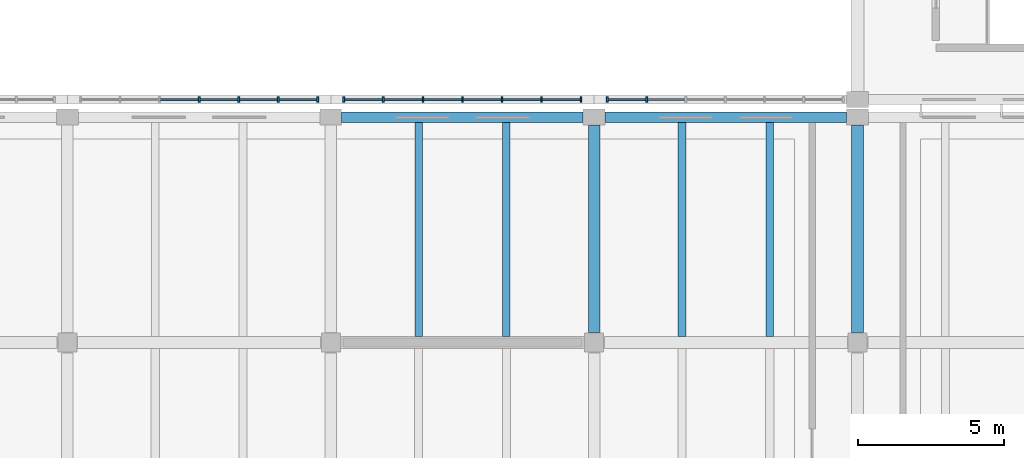
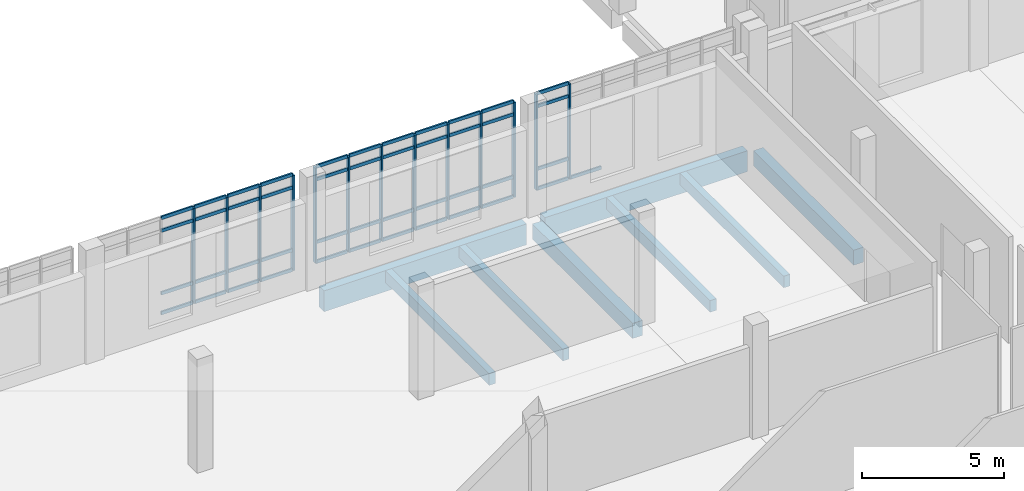
# One storey, part 35 of 110: 58 members, 8 beams, 3 elements without a shape of their own.
"""IFC4 building model written with IfcOpenShell, lengths in metres."""

from ifc_helpers import new_model, si_unit, direction, frame, origin, origin_2d, place, context, subcontext, project, spatial, rectangle, extrude, material, layer, layer_set, material_profile, profile_set, type_object, element, aggregate, save


model = new_model("IFC4")

# Units and contexts
model_context = context("Model", 3, precision=1e-05, world=origin(), true_north=direction((0.0, 1.0)))
body_context = subcontext(model_context, "Body", "Model", "MODEL_VIEW")
ifc_project = project(units=[si_unit("LENGTHUNIT", "METRE"), si_unit("AREAUNIT", "SQUARE_METRE"), si_unit("VOLUMEUNIT", "CUBIC_METRE"), si_unit("PLANEANGLEUNIT", "RADIAN"), si_unit("MASSUNIT", "GRAM", prefix="KILO")], contexts=[model_context])

# Site, building, storey
site_placement = place(None, origin())
site = spatial("IfcSite", under=ifc_project, at=site_placement, CompositionType="ELEMENT")
building_placement = place(site_placement, origin())
building = spatial("IfcBuilding", under=site, at=building_placement, Name="Zacnel Wholesale Market", CompositionType="ELEMENT")
storey_placement = place(building_placement, frame((0.0, 0.0, 6.300048828125)))
storey = spatial("IfcBuildingStorey", under=building, at=storey_placement, Name="L02", CompositionType="ELEMENT", Elevation=6.300048828125)

# Beams
ifc_material_1 = material(Name="Precast concrete C45/55", Category="concrete")
ifc_material_profile_1 = material_profile(ifc_material_1, rectangle(XDim=0.39990234375, YDim=0.64990234375, at=origin_2d()), Name="PG 400x650")
ifc_profile_set_1 = profile_set([ifc_material_profile_1], Name="Precast concrete C45/55")
beam_type_1 = type_object("IfcBeamType", Name="BM-PG650", PredefinedType="BEAM", material=ifc_profile_set_1)
for number, where, z_axis, x_axis, name in (
    (1, (171.0, 40.35009765625, -0.625), (0.0, 1.0, 0.0), (-1.0, 0.0, 0.0), "Precast girder Y-0500"),
    (2, (180.0, 40.35009765625, -0.625), (0.0, 1.0, 0.0), (-1.0, 0.0, 0.0), "Precast girder Y-0506"),
):
    element("IfcBeam", number, at=place(storey_placement, frame(where, z_axis=z_axis, x_axis=x_axis)), inside=storey, type_object=beam_type_1, Name=name, PredefinedType="BEAM", context=body_context, shape_type="SweptSolid", body=[
        extrude(rectangle(XDim=0.39990234375, YDim=0.64990234375, at=origin_2d()), origin(), (0.0, 0.0, 1.0), 7.074951171875),
    ])
ifc_material_2 = material(Name="Precast concrete C45/55", Category="concrete")
ifc_material_profile_2 = material_profile(ifc_material_2, rectangle(XDim=0.260009765625, YDim=0.5, at=origin_2d()), Name="PJ 260x500")
ifc_profile_set_2 = profile_set([ifc_material_profile_2], Name="Precast concrete C45/55")
beam_type_2 = type_object("IfcBeamType", Name="BM-PJ500", PredefinedType="HOLLOWCORE", material=ifc_profile_set_2)
for number, where, z_axis, x_axis, name in (
    (3, (165.0, 40.199951171875, -0.550048828125), (0.0, 1.0, 0.0), (-1.0, 0.0, 0.0), "Precast secondary joist L02-0173"),
    (4, (168.0, 40.199951171875, -0.550048828125), (0.0, 1.0, 0.0), (-1.0, 0.0, 0.0), "Precast secondary joist L02-0174"),
    (5, (174.0, 40.199951171875, -0.550048828125), (0.0, 1.0, 0.0), (-1.0, 0.0, 0.0), "Precast secondary joist L02-0175"),
    (6, (177.0, 40.199951171875, -0.550048828125), (0.0, 1.0, 0.0), (-1.0, 0.0, 0.0), "Precast secondary joist L02-0176"),
):
    element("IfcBeam", number, at=place(storey_placement, frame(where, z_axis=z_axis, x_axis=x_axis)), inside=storey, type_object=beam_type_2, Name=name, PredefinedType="HOLLOWCORE", context=body_context, shape_type="SweptSolid", body=[
        extrude(rectangle(XDim=0.260009765625, YDim=0.5, at=origin_2d()), origin(), (0.0, 0.0, 1.0), 7.324951171875),
    ])
ifc_material_3 = material(Name="Precast concrete C45/55", Category="concrete")
ifc_material_profile_3 = material_profile(ifc_material_3, rectangle(XDim=0.35009765625, YDim=0.89990234375, at=origin_2d()), Name="SP 350x900")
ifc_profile_set_3 = profile_set([ifc_material_profile_3], Name="Precast concrete C45/55")
beam_type_3 = type_object("IfcBeamType", Name="BM-SP900", PredefinedType="SPANDREL", material=ifc_profile_set_3)
for number, where, z_axis, x_axis, name in (
    (7, (162.375, 47.699951171875, -0.75), (1.0, 0.0, 0.0), (0.0, 1.0, 0.0), "Precast girder X-0131"),
    (8, (171.375, 47.699951171875, -0.75), (1.0, 0.0, 0.0), (0.0, 1.0, 0.0), "Precast girder X-0132"),
):
    element("IfcBeam", number, at=place(storey_placement, frame(where, z_axis=z_axis, x_axis=x_axis)), inside=storey, type_object=beam_type_3, Name=name, PredefinedType="SPANDREL", context=body_context, shape_type="SweptSolid", body=[
        extrude(rectangle(XDim=0.35009765625, YDim=0.89990234375, at=origin_2d()), origin(), (0.0, 0.0, 1.0), 8.25),
    ])

# Curtain wall, members
ifc_material_4 = material(Name="Anodised aluminium", Category="aluminium")
ifc_layer = layer(ifc_material_4, 0.159912109375)
ifc_layer_set = layer_set([ifc_layer], Name="Anodised aluminium")
curtain_wall_type = type_object("IfcCurtainWallType", Name="CW-NAVE-4200", PredefinedType="NOTDEFINED", material=ifc_layer_set)
curtain_wall_1_placement = place(storey_placement, origin())
curtain_wall_1 = element("IfcCurtainWall", 9, at=curtain_wall_1_placement, inside=storey, type_object=curtain_wall_type, Name="Curtain wall ENV-R2-CW-L02-038", PredefinedType="NOTDEFINED")
ifc_material_5 = material(Name="Anodised aluminium", Category="aluminium")
ifc_material_profile_4 = material_profile(ifc_material_5, rectangle(XDim=0.06494140625, YDim=0.179931640625, at=origin_2d()), Name="AW-MULLION 65x180")
ifc_profile_set_4 = profile_set([ifc_material_profile_4], Name="Anodised aluminium")
member_type_1 = type_object("IfcMemberType", Name="CWM-MUL-03", PredefinedType="MULLION", material=ifc_profile_set_4)
member_1_placement = place(storey_placement, frame((157.5, 48.300048828125, 0.449951171875), z_axis=(0.0, 0.0, 1.0), x_axis=(1.0, 0.0, 0.0)))
member_1 = element("IfcMember", 10, at=member_1_placement, type_object=member_type_1, Name="ENV-R2-CW-L02-038 mullion 04", PredefinedType="MULLION", context=body_context, shape_type="SweptSolid", body=[
    extrude(rectangle(XDim=0.06494140625, YDim=0.179931640625, at=origin_2d()), origin(), (0.0, 0.0, 1.0), 4.10009765625),
])
member_2_placement = place(storey_placement, frame((158.85009765625, 48.300048828125, 0.449951171875), z_axis=(0.0, 0.0, 1.0), x_axis=(1.0, 0.0, 0.0)))
member_2 = element("IfcMember", 11, at=member_2_placement, type_object=member_type_1, Name="ENV-R2-CW-L02-038 mullion 05", PredefinedType="MULLION", context=body_context, shape_type="SweptSolid", body=[
    extrude(rectangle(XDim=0.06494140625, YDim=0.179931640625, at=origin_2d()), origin(), (0.0, 0.0, 1.0), 4.10009765625),
])
member_3_placement = place(storey_placement, frame((160.199951171875, 48.300048828125, 0.449951171875), z_axis=(0.0, 0.0, 1.0), x_axis=(1.0, 0.0, 0.0)))
member_3 = element("IfcMember", 12, at=member_3_placement, type_object=member_type_1, Name="ENV-R2-CW-L02-038 mullion 06", PredefinedType="MULLION", context=body_context, shape_type="SweptSolid", body=[
    extrude(rectangle(XDim=0.06494140625, YDim=0.179931640625, at=origin_2d()), origin(), (0.0, 0.0, 1.0), 4.10009765625),
])
member_4_placement = place(storey_placement, frame((161.550048828125, 48.300048828125, 0.449951171875), z_axis=(0.0, 0.0, 1.0), x_axis=(1.0, 0.0, 0.0)))
member_4 = element("IfcMember", 13, at=member_4_placement, type_object=member_type_1, Name="ENV-R2-CW-L02-038 mullion 07", PredefinedType="MULLION", context=body_context, shape_type="SweptSolid", body=[
    extrude(rectangle(XDim=0.06494140625, YDim=0.179931640625, at=origin_2d()), origin(), (0.0, 0.0, 1.0), 4.10009765625),
])

curtain_wall_2_placement = place(storey_placement, origin())
curtain_wall_2 = element("IfcCurtainWall", 14, at=curtain_wall_2_placement, inside=storey, type_object=curtain_wall_type, Name="Curtain wall ENV-R2-CW-L02-039", PredefinedType="NOTDEFINED")
member_5_placement = place(storey_placement, frame((162.449951171875, 48.300048828125, 0.449951171875), z_axis=(0.0, 0.0, 1.0), x_axis=(1.0, 0.0, 0.0)))
member_5 = element("IfcMember", 15, at=member_5_placement, type_object=member_type_1, Name="ENV-R2-CW-L02-039 mullion 01", PredefinedType="MULLION", context=body_context, shape_type="SweptSolid", body=[
    extrude(rectangle(XDim=0.06494140625, YDim=0.179931640625, at=origin_2d()), origin(), (0.0, 0.0, 1.0), 4.10009765625),
])
member_6_placement = place(storey_placement, frame((163.800048828125, 48.300048828125, 0.449951171875), z_axis=(0.0, 0.0, 1.0), x_axis=(1.0, 0.0, 0.0)))
member_6 = element("IfcMember", 16, at=member_6_placement, type_object=member_type_1, Name="ENV-R2-CW-L02-039 mullion 02", PredefinedType="MULLION", context=body_context, shape_type="SweptSolid", body=[
    extrude(rectangle(XDim=0.06494140625, YDim=0.179931640625, at=origin_2d()), origin(), (0.0, 0.0, 1.0), 4.10009765625),
])
member_7_placement = place(storey_placement, frame((165.14990234375, 48.300048828125, 0.449951171875), z_axis=(0.0, 0.0, 1.0), x_axis=(1.0, 0.0, 0.0)))
member_7 = element("IfcMember", 17, at=member_7_placement, type_object=member_type_1, Name="ENV-R2-CW-L02-039 mullion 03", PredefinedType="MULLION", context=body_context, shape_type="SweptSolid", body=[
    extrude(rectangle(XDim=0.06494140625, YDim=0.179931640625, at=origin_2d()), origin(), (0.0, 0.0, 1.0), 4.10009765625),
])
member_8_placement = place(storey_placement, frame((166.5, 48.300048828125, 0.449951171875), z_axis=(0.0, 0.0, 1.0), x_axis=(1.0, 0.0, 0.0)))
member_8 = element("IfcMember", 18, at=member_8_placement, type_object=member_type_1, Name="ENV-R2-CW-L02-039 mullion 04", PredefinedType="MULLION", context=body_context, shape_type="SweptSolid", body=[
    extrude(rectangle(XDim=0.06494140625, YDim=0.179931640625, at=origin_2d()), origin(), (0.0, 0.0, 1.0), 4.10009765625),
])
member_9_placement = place(storey_placement, frame((167.85009765625, 48.300048828125, 0.449951171875), z_axis=(0.0, 0.0, 1.0), x_axis=(1.0, 0.0, 0.0)))
member_9 = element("IfcMember", 19, at=member_9_placement, type_object=member_type_1, Name="ENV-R2-CW-L02-039 mullion 05", PredefinedType="MULLION", context=body_context, shape_type="SweptSolid", body=[
    extrude(rectangle(XDim=0.06494140625, YDim=0.179931640625, at=origin_2d()), origin(), (0.0, 0.0, 1.0), 4.10009765625),
])
member_10_placement = place(storey_placement, frame((169.199951171875, 48.300048828125, 0.449951171875), z_axis=(0.0, 0.0, 1.0), x_axis=(1.0, 0.0, 0.0)))
member_10 = element("IfcMember", 20, at=member_10_placement, type_object=member_type_1, Name="ENV-R2-CW-L02-039 mullion 06", PredefinedType="MULLION", context=body_context, shape_type="SweptSolid", body=[
    extrude(rectangle(XDim=0.06494140625, YDim=0.179931640625, at=origin_2d()), origin(), (0.0, 0.0, 1.0), 4.10009765625),
])
member_11_placement = place(storey_placement, frame((170.550048828125, 48.300048828125, 0.449951171875), z_axis=(0.0, 0.0, 1.0), x_axis=(1.0, 0.0, 0.0)))
member_11 = element("IfcMember", 21, at=member_11_placement, type_object=member_type_1, Name="ENV-R2-CW-L02-039 mullion 07", PredefinedType="MULLION", context=body_context, shape_type="SweptSolid", body=[
    extrude(rectangle(XDim=0.06494140625, YDim=0.179931640625, at=origin_2d()), origin(), (0.0, 0.0, 1.0), 4.10009765625),
])

curtain_wall_3_placement = place(storey_placement, origin())
curtain_wall_3 = element("IfcCurtainWall", 22, at=curtain_wall_3_placement, inside=storey, type_object=curtain_wall_type, Name="Curtain wall ENV-R2-CW-L02-040", PredefinedType="NOTDEFINED")
member_12_placement = place(storey_placement, frame((171.449951171875, 48.300048828125, 0.449951171875), z_axis=(0.0, 0.0, 1.0), x_axis=(1.0, 0.0, 0.0)))
member_12 = element("IfcMember", 23, at=member_12_placement, type_object=member_type_1, Name="ENV-R2-CW-L02-040 mullion 01", PredefinedType="MULLION", context=body_context, shape_type="SweptSolid", body=[
    extrude(rectangle(XDim=0.06494140625, YDim=0.179931640625, at=origin_2d()), origin(), (0.0, 0.0, 1.0), 4.10009765625),
])
member_13_placement = place(storey_placement, frame((172.79248046875, 48.300048828125, 0.449951171875), z_axis=(0.0, 0.0, 1.0), x_axis=(1.0, 0.0, 0.0)))
member_13 = element("IfcMember", 24, at=member_13_placement, type_object=member_type_1, Name="ENV-R2-CW-L02-040 mullion 02", PredefinedType="MULLION", context=body_context, shape_type="SweptSolid", body=[
    extrude(rectangle(XDim=0.06494140625, YDim=0.179931640625, at=origin_2d()), origin(), (0.0, 0.0, 1.0), 4.10009765625),
])

# Member
ifc_material_6 = material(Name="Anodised aluminium", Category="aluminium")
ifc_material_profile_5 = material_profile(ifc_material_6, rectangle(XDim=0.06494140625, YDim=0.139892578125, at=origin_2d()), Name="AW-TRANSOM 65x140")
ifc_profile_set_5 = profile_set([ifc_material_profile_5], Name="Anodised aluminium")
member_type_2 = type_object("IfcMemberType", Name="CWM-TRN-03", PredefinedType="USERDEFINED", material=ifc_profile_set_5)
member_14_placement = place(storey_placement, frame((156.18505859375, 48.300048828125, 0.449951171875), z_axis=(1.0, 0.0, 0.0), x_axis=(0.0, 1.0, 0.0)))
member_14 = element("IfcMember", 25, at=member_14_placement, type_object=member_type_2, Name="ENV-R2-CW-L02-038 transom 3-1", ObjectType="TRANSOM", PredefinedType="USERDEFINED", context=body_context, shape_type="SweptSolid", body=[
    extrude(rectangle(XDim=0.06494140625, YDim=0.139892578125, at=origin_2d()), origin(), (0.0, 0.0, 1.0), 1.280029296875),
])

member_15_placement = place(storey_placement, frame((156.18505859375, 48.300048828125, 1.300048828125), z_axis=(1.0, 0.0, 0.0), x_axis=(0.0, 1.0, 0.0)))
member_15 = element("IfcMember", 26, at=member_15_placement, type_object=member_type_2, Name="ENV-R2-CW-L02-038 transom 3-2", ObjectType="TRANSOM", PredefinedType="USERDEFINED", context=body_context, shape_type="SweptSolid", body=[
    extrude(rectangle(XDim=0.06494140625, YDim=0.139892578125, at=origin_2d()), origin(), (0.0, 0.0, 1.0), 1.280029296875),
])

member_16_placement = place(storey_placement, frame((156.18505859375, 48.300048828125, 4.0), z_axis=(1.0, 0.0, 0.0), x_axis=(0.0, 1.0, 0.0)))
member_16 = element("IfcMember", 27, at=member_16_placement, type_object=member_type_2, Name="ENV-R2-CW-L02-038 transom 3-3", ObjectType="TRANSOM", PredefinedType="USERDEFINED", context=body_context, shape_type="SweptSolid", body=[
    extrude(rectangle(XDim=0.06494140625, YDim=0.139892578125, at=origin_2d()), origin(), (0.0, 0.0, 1.0), 1.280029296875),
])

member_17_placement = place(storey_placement, frame((156.18505859375, 48.300048828125, 4.550048828125), z_axis=(1.0, 0.0, 0.0), x_axis=(0.0, 1.0, 0.0)))
member_17 = element("IfcMember", 28, at=member_17_placement, type_object=member_type_2, Name="ENV-R2-CW-L02-038 transom 3-4", ObjectType="TRANSOM", PredefinedType="USERDEFINED", context=body_context, shape_type="SweptSolid", body=[
    extrude(rectangle(XDim=0.06494140625, YDim=0.139892578125, at=origin_2d()), origin(), (0.0, 0.0, 1.0), 1.280029296875),
])

member_18_placement = place(storey_placement, frame((157.534912109375, 48.300048828125, 0.449951171875), z_axis=(1.0, 0.0, 0.0), x_axis=(0.0, 1.0, 0.0)))
member_18 = element("IfcMember", 29, at=member_18_placement, type_object=member_type_2, Name="ENV-R2-CW-L02-038 transom 4-1", ObjectType="TRANSOM", PredefinedType="USERDEFINED", context=body_context, shape_type="SweptSolid", body=[
    extrude(rectangle(XDim=0.06494140625, YDim=0.139892578125, at=origin_2d()), origin(), (0.0, 0.0, 1.0), 1.280029296875),
])

member_19_placement = place(storey_placement, frame((157.534912109375, 48.300048828125, 1.300048828125), z_axis=(1.0, 0.0, 0.0), x_axis=(0.0, 1.0, 0.0)))
member_19 = element("IfcMember", 30, at=member_19_placement, type_object=member_type_2, Name="ENV-R2-CW-L02-038 transom 4-2", ObjectType="TRANSOM", PredefinedType="USERDEFINED", context=body_context, shape_type="SweptSolid", body=[
    extrude(rectangle(XDim=0.06494140625, YDim=0.139892578125, at=origin_2d()), origin(), (0.0, 0.0, 1.0), 1.280029296875),
])

member_20_placement = place(storey_placement, frame((157.534912109375, 48.300048828125, 4.0), z_axis=(1.0, 0.0, 0.0), x_axis=(0.0, 1.0, 0.0)))
member_20 = element("IfcMember", 31, at=member_20_placement, type_object=member_type_2, Name="ENV-R2-CW-L02-038 transom 4-3", ObjectType="TRANSOM", PredefinedType="USERDEFINED", context=body_context, shape_type="SweptSolid", body=[
    extrude(rectangle(XDim=0.06494140625, YDim=0.139892578125, at=origin_2d()), origin(), (0.0, 0.0, 1.0), 1.280029296875),
])

member_21_placement = place(storey_placement, frame((157.534912109375, 48.300048828125, 4.550048828125), z_axis=(1.0, 0.0, 0.0), x_axis=(0.0, 1.0, 0.0)))
member_21 = element("IfcMember", 32, at=member_21_placement, type_object=member_type_2, Name="ENV-R2-CW-L02-038 transom 4-4", ObjectType="TRANSOM", PredefinedType="USERDEFINED", context=body_context, shape_type="SweptSolid", body=[
    extrude(rectangle(XDim=0.06494140625, YDim=0.139892578125, at=origin_2d()), origin(), (0.0, 0.0, 1.0), 1.280029296875),
])

member_22_placement = place(storey_placement, frame((158.885009765625, 48.300048828125, 0.449951171875), z_axis=(1.0, 0.0, 0.0), x_axis=(0.0, 1.0, 0.0)))
member_22 = element("IfcMember", 33, at=member_22_placement, type_object=member_type_2, Name="ENV-R2-CW-L02-038 transom 5-1", ObjectType="TRANSOM", PredefinedType="USERDEFINED", context=body_context, shape_type="SweptSolid", body=[
    extrude(rectangle(XDim=0.06494140625, YDim=0.139892578125, at=origin_2d()), origin(), (0.0, 0.0, 1.0), 1.280029296875),
])

member_23_placement = place(storey_placement, frame((158.885009765625, 48.300048828125, 1.300048828125), z_axis=(1.0, 0.0, 0.0), x_axis=(0.0, 1.0, 0.0)))
member_23 = element("IfcMember", 34, at=member_23_placement, type_object=member_type_2, Name="ENV-R2-CW-L02-038 transom 5-2", ObjectType="TRANSOM", PredefinedType="USERDEFINED", context=body_context, shape_type="SweptSolid", body=[
    extrude(rectangle(XDim=0.06494140625, YDim=0.139892578125, at=origin_2d()), origin(), (0.0, 0.0, 1.0), 1.280029296875),
])

member_24_placement = place(storey_placement, frame((158.885009765625, 48.300048828125, 4.0), z_axis=(1.0, 0.0, 0.0), x_axis=(0.0, 1.0, 0.0)))
member_24 = element("IfcMember", 35, at=member_24_placement, type_object=member_type_2, Name="ENV-R2-CW-L02-038 transom 5-3", ObjectType="TRANSOM", PredefinedType="USERDEFINED", context=body_context, shape_type="SweptSolid", body=[
    extrude(rectangle(XDim=0.06494140625, YDim=0.139892578125, at=origin_2d()), origin(), (0.0, 0.0, 1.0), 1.280029296875),
])

member_25_placement = place(storey_placement, frame((158.885009765625, 48.300048828125, 4.550048828125), z_axis=(1.0, 0.0, 0.0), x_axis=(0.0, 1.0, 0.0)))
member_25 = element("IfcMember", 36, at=member_25_placement, type_object=member_type_2, Name="ENV-R2-CW-L02-038 transom 5-4", ObjectType="TRANSOM", PredefinedType="USERDEFINED", context=body_context, shape_type="SweptSolid", body=[
    extrude(rectangle(XDim=0.06494140625, YDim=0.139892578125, at=origin_2d()), origin(), (0.0, 0.0, 1.0), 1.280029296875),
])

member_26_placement = place(storey_placement, frame((160.235107421875, 48.300048828125, 0.449951171875), z_axis=(1.0, 0.0, 0.0), x_axis=(0.0, 1.0, 0.0)))
member_26 = element("IfcMember", 37, at=member_26_placement, type_object=member_type_2, Name="ENV-R2-CW-L02-038 transom 6-1", ObjectType="TRANSOM", PredefinedType="USERDEFINED", context=body_context, shape_type="SweptSolid", body=[
    extrude(rectangle(XDim=0.06494140625, YDim=0.139892578125, at=origin_2d()), origin(), (0.0, 0.0, 1.0), 1.27978515625),
])

member_27_placement = place(storey_placement, frame((160.235107421875, 48.300048828125, 1.300048828125), z_axis=(1.0, 0.0, 0.0), x_axis=(0.0, 1.0, 0.0)))
member_27 = element("IfcMember", 38, at=member_27_placement, type_object=member_type_2, Name="ENV-R2-CW-L02-038 transom 6-2", ObjectType="TRANSOM", PredefinedType="USERDEFINED", context=body_context, shape_type="SweptSolid", body=[
    extrude(rectangle(XDim=0.06494140625, YDim=0.139892578125, at=origin_2d()), origin(), (0.0, 0.0, 1.0), 1.27978515625),
])

member_28_placement = place(storey_placement, frame((160.235107421875, 48.300048828125, 4.0), z_axis=(1.0, 0.0, 0.0), x_axis=(0.0, 1.0, 0.0)))
member_28 = element("IfcMember", 39, at=member_28_placement, type_object=member_type_2, Name="ENV-R2-CW-L02-038 transom 6-3", ObjectType="TRANSOM", PredefinedType="USERDEFINED", context=body_context, shape_type="SweptSolid", body=[
    extrude(rectangle(XDim=0.06494140625, YDim=0.139892578125, at=origin_2d()), origin(), (0.0, 0.0, 1.0), 1.27978515625),
])

member_29_placement = place(storey_placement, frame((160.235107421875, 48.300048828125, 4.550048828125), z_axis=(1.0, 0.0, 0.0), x_axis=(0.0, 1.0, 0.0)))
member_29 = element("IfcMember", 40, at=member_29_placement, type_object=member_type_2, Name="ENV-R2-CW-L02-038 transom 6-4", ObjectType="TRANSOM", PredefinedType="USERDEFINED", context=body_context, shape_type="SweptSolid", body=[
    extrude(rectangle(XDim=0.06494140625, YDim=0.139892578125, at=origin_2d()), origin(), (0.0, 0.0, 1.0), 1.27978515625),
])

aggregate(curtain_wall_1, [member_1, member_2, member_3, member_4, member_14, member_15, member_16, member_17, member_18, member_19, member_20, member_21, member_22, member_23, member_24, member_25, member_26, member_27, member_28, member_29])

member_30_placement = place(storey_placement, frame((162.485107421875, 48.300048828125, 0.449951171875), z_axis=(1.0, 0.0, 0.0), x_axis=(0.0, 1.0, 0.0)))
member_30 = element("IfcMember", 41, at=member_30_placement, type_object=member_type_2, Name="ENV-R2-CW-L02-039 transom 1-1", ObjectType="TRANSOM", PredefinedType="USERDEFINED", context=body_context, shape_type="SweptSolid", body=[
    extrude(rectangle(XDim=0.06494140625, YDim=0.139892578125, at=origin_2d()), origin(), (0.0, 0.0, 1.0), 1.27978515625),
])

member_31_placement = place(storey_placement, frame((162.485107421875, 48.300048828125, 1.300048828125), z_axis=(1.0, 0.0, 0.0), x_axis=(0.0, 1.0, 0.0)))
member_31 = element("IfcMember", 42, at=member_31_placement, type_object=member_type_2, Name="ENV-R2-CW-L02-039 transom 1-2", ObjectType="TRANSOM", PredefinedType="USERDEFINED", context=body_context, shape_type="SweptSolid", body=[
    extrude(rectangle(XDim=0.06494140625, YDim=0.139892578125, at=origin_2d()), origin(), (0.0, 0.0, 1.0), 1.27978515625),
])

member_32_placement = place(storey_placement, frame((162.485107421875, 48.300048828125, 4.0), z_axis=(1.0, 0.0, 0.0), x_axis=(0.0, 1.0, 0.0)))
member_32 = element("IfcMember", 43, at=member_32_placement, type_object=member_type_2, Name="ENV-R2-CW-L02-039 transom 1-3", ObjectType="TRANSOM", PredefinedType="USERDEFINED", context=body_context, shape_type="SweptSolid", body=[
    extrude(rectangle(XDim=0.06494140625, YDim=0.139892578125, at=origin_2d()), origin(), (0.0, 0.0, 1.0), 1.27978515625),
])

member_33_placement = place(storey_placement, frame((162.485107421875, 48.300048828125, 4.550048828125), z_axis=(1.0, 0.0, 0.0), x_axis=(0.0, 1.0, 0.0)))
member_33 = element("IfcMember", 44, at=member_33_placement, type_object=member_type_2, Name="ENV-R2-CW-L02-039 transom 1-4", ObjectType="TRANSOM", PredefinedType="USERDEFINED", context=body_context, shape_type="SweptSolid", body=[
    extrude(rectangle(XDim=0.06494140625, YDim=0.139892578125, at=origin_2d()), origin(), (0.0, 0.0, 1.0), 1.27978515625),
])

member_34_placement = place(storey_placement, frame((163.8349609375, 48.300048828125, 0.449951171875), z_axis=(1.0, 0.0, 0.0), x_axis=(0.0, 1.0, 0.0)))
member_34 = element("IfcMember", 45, at=member_34_placement, type_object=member_type_2, Name="ENV-R2-CW-L02-039 transom 2-1", ObjectType="TRANSOM", PredefinedType="USERDEFINED", context=body_context, shape_type="SweptSolid", body=[
    extrude(rectangle(XDim=0.06494140625, YDim=0.139892578125, at=origin_2d()), origin(), (0.0, 0.0, 1.0), 1.280029296875),
])

member_35_placement = place(storey_placement, frame((163.8349609375, 48.300048828125, 1.300048828125), z_axis=(1.0, 0.0, 0.0), x_axis=(0.0, 1.0, 0.0)))
member_35 = element("IfcMember", 46, at=member_35_placement, type_object=member_type_2, Name="ENV-R2-CW-L02-039 transom 2-2", ObjectType="TRANSOM", PredefinedType="USERDEFINED", context=body_context, shape_type="SweptSolid", body=[
    extrude(rectangle(XDim=0.06494140625, YDim=0.139892578125, at=origin_2d()), origin(), (0.0, 0.0, 1.0), 1.280029296875),
])

member_36_placement = place(storey_placement, frame((163.8349609375, 48.300048828125, 4.0), z_axis=(1.0, 0.0, 0.0), x_axis=(0.0, 1.0, 0.0)))
member_36 = element("IfcMember", 47, at=member_36_placement, type_object=member_type_2, Name="ENV-R2-CW-L02-039 transom 2-3", ObjectType="TRANSOM", PredefinedType="USERDEFINED", context=body_context, shape_type="SweptSolid", body=[
    extrude(rectangle(XDim=0.06494140625, YDim=0.139892578125, at=origin_2d()), origin(), (0.0, 0.0, 1.0), 1.280029296875),
])

member_37_placement = place(storey_placement, frame((163.8349609375, 48.300048828125, 4.550048828125), z_axis=(1.0, 0.0, 0.0), x_axis=(0.0, 1.0, 0.0)))
member_37 = element("IfcMember", 48, at=member_37_placement, type_object=member_type_2, Name="ENV-R2-CW-L02-039 transom 2-4", ObjectType="TRANSOM", PredefinedType="USERDEFINED", context=body_context, shape_type="SweptSolid", body=[
    extrude(rectangle(XDim=0.06494140625, YDim=0.139892578125, at=origin_2d()), origin(), (0.0, 0.0, 1.0), 1.280029296875),
])

member_38_placement = place(storey_placement, frame((165.18505859375, 48.300048828125, 0.449951171875), z_axis=(1.0, 0.0, 0.0), x_axis=(0.0, 1.0, 0.0)))
member_38 = element("IfcMember", 49, at=member_38_placement, type_object=member_type_2, Name="ENV-R2-CW-L02-039 transom 3-1", ObjectType="TRANSOM", PredefinedType="USERDEFINED", context=body_context, shape_type="SweptSolid", body=[
    extrude(rectangle(XDim=0.06494140625, YDim=0.139892578125, at=origin_2d()), origin(), (0.0, 0.0, 1.0), 1.280029296875),
])

member_39_placement = place(storey_placement, frame((165.18505859375, 48.300048828125, 1.300048828125), z_axis=(1.0, 0.0, 0.0), x_axis=(0.0, 1.0, 0.0)))
member_39 = element("IfcMember", 50, at=member_39_placement, type_object=member_type_2, Name="ENV-R2-CW-L02-039 transom 3-2", ObjectType="TRANSOM", PredefinedType="USERDEFINED", context=body_context, shape_type="SweptSolid", body=[
    extrude(rectangle(XDim=0.06494140625, YDim=0.139892578125, at=origin_2d()), origin(), (0.0, 0.0, 1.0), 1.280029296875),
])

member_40_placement = place(storey_placement, frame((165.18505859375, 48.300048828125, 4.0), z_axis=(1.0, 0.0, 0.0), x_axis=(0.0, 1.0, 0.0)))
member_40 = element("IfcMember", 51, at=member_40_placement, type_object=member_type_2, Name="ENV-R2-CW-L02-039 transom 3-3", ObjectType="TRANSOM", PredefinedType="USERDEFINED", context=body_context, shape_type="SweptSolid", body=[
    extrude(rectangle(XDim=0.06494140625, YDim=0.139892578125, at=origin_2d()), origin(), (0.0, 0.0, 1.0), 1.280029296875),
])

member_41_placement = place(storey_placement, frame((165.18505859375, 48.300048828125, 4.550048828125), z_axis=(1.0, 0.0, 0.0), x_axis=(0.0, 1.0, 0.0)))
member_41 = element("IfcMember", 52, at=member_41_placement, type_object=member_type_2, Name="ENV-R2-CW-L02-039 transom 3-4", ObjectType="TRANSOM", PredefinedType="USERDEFINED", context=body_context, shape_type="SweptSolid", body=[
    extrude(rectangle(XDim=0.06494140625, YDim=0.139892578125, at=origin_2d()), origin(), (0.0, 0.0, 1.0), 1.280029296875),
])

member_42_placement = place(storey_placement, frame((166.534912109375, 48.300048828125, 0.449951171875), z_axis=(1.0, 0.0, 0.0), x_axis=(0.0, 1.0, 0.0)))
member_42 = element("IfcMember", 53, at=member_42_placement, type_object=member_type_2, Name="ENV-R2-CW-L02-039 transom 4-1", ObjectType="TRANSOM", PredefinedType="USERDEFINED", context=body_context, shape_type="SweptSolid", body=[
    extrude(rectangle(XDim=0.06494140625, YDim=0.139892578125, at=origin_2d()), origin(), (0.0, 0.0, 1.0), 1.280029296875),
])

member_43_placement = place(storey_placement, frame((166.534912109375, 48.300048828125, 1.300048828125), z_axis=(1.0, 0.0, 0.0), x_axis=(0.0, 1.0, 0.0)))
member_43 = element("IfcMember", 54, at=member_43_placement, type_object=member_type_2, Name="ENV-R2-CW-L02-039 transom 4-2", ObjectType="TRANSOM", PredefinedType="USERDEFINED", context=body_context, shape_type="SweptSolid", body=[
    extrude(rectangle(XDim=0.06494140625, YDim=0.139892578125, at=origin_2d()), origin(), (0.0, 0.0, 1.0), 1.280029296875),
])

member_44_placement = place(storey_placement, frame((166.534912109375, 48.300048828125, 4.0), z_axis=(1.0, 0.0, 0.0), x_axis=(0.0, 1.0, 0.0)))
member_44 = element("IfcMember", 55, at=member_44_placement, type_object=member_type_2, Name="ENV-R2-CW-L02-039 transom 4-3", ObjectType="TRANSOM", PredefinedType="USERDEFINED", context=body_context, shape_type="SweptSolid", body=[
    extrude(rectangle(XDim=0.06494140625, YDim=0.139892578125, at=origin_2d()), origin(), (0.0, 0.0, 1.0), 1.280029296875),
])

member_45_placement = place(storey_placement, frame((166.534912109375, 48.300048828125, 4.550048828125), z_axis=(1.0, 0.0, 0.0), x_axis=(0.0, 1.0, 0.0)))
member_45 = element("IfcMember", 56, at=member_45_placement, type_object=member_type_2, Name="ENV-R2-CW-L02-039 transom 4-4", ObjectType="TRANSOM", PredefinedType="USERDEFINED", context=body_context, shape_type="SweptSolid", body=[
    extrude(rectangle(XDim=0.06494140625, YDim=0.139892578125, at=origin_2d()), origin(), (0.0, 0.0, 1.0), 1.280029296875),
])

member_46_placement = place(storey_placement, frame((167.885009765625, 48.300048828125, 0.449951171875), z_axis=(1.0, 0.0, 0.0), x_axis=(0.0, 1.0, 0.0)))
member_46 = element("IfcMember", 57, at=member_46_placement, type_object=member_type_2, Name="ENV-R2-CW-L02-039 transom 5-1", ObjectType="TRANSOM", PredefinedType="USERDEFINED", context=body_context, shape_type="SweptSolid", body=[
    extrude(rectangle(XDim=0.06494140625, YDim=0.139892578125, at=origin_2d()), origin(), (0.0, 0.0, 1.0), 1.280029296875),
])

member_47_placement = place(storey_placement, frame((167.885009765625, 48.300048828125, 1.300048828125), z_axis=(1.0, 0.0, 0.0), x_axis=(0.0, 1.0, 0.0)))
member_47 = element("IfcMember", 58, at=member_47_placement, type_object=member_type_2, Name="ENV-R2-CW-L02-039 transom 5-2", ObjectType="TRANSOM", PredefinedType="USERDEFINED", context=body_context, shape_type="SweptSolid", body=[
    extrude(rectangle(XDim=0.06494140625, YDim=0.139892578125, at=origin_2d()), origin(), (0.0, 0.0, 1.0), 1.280029296875),
])

member_48_placement = place(storey_placement, frame((167.885009765625, 48.300048828125, 4.0), z_axis=(1.0, 0.0, 0.0), x_axis=(0.0, 1.0, 0.0)))
member_48 = element("IfcMember", 59, at=member_48_placement, type_object=member_type_2, Name="ENV-R2-CW-L02-039 transom 5-3", ObjectType="TRANSOM", PredefinedType="USERDEFINED", context=body_context, shape_type="SweptSolid", body=[
    extrude(rectangle(XDim=0.06494140625, YDim=0.139892578125, at=origin_2d()), origin(), (0.0, 0.0, 1.0), 1.280029296875),
])

member_49_placement = place(storey_placement, frame((167.885009765625, 48.300048828125, 4.550048828125), z_axis=(1.0, 0.0, 0.0), x_axis=(0.0, 1.0, 0.0)))
member_49 = element("IfcMember", 60, at=member_49_placement, type_object=member_type_2, Name="ENV-R2-CW-L02-039 transom 5-4", ObjectType="TRANSOM", PredefinedType="USERDEFINED", context=body_context, shape_type="SweptSolid", body=[
    extrude(rectangle(XDim=0.06494140625, YDim=0.139892578125, at=origin_2d()), origin(), (0.0, 0.0, 1.0), 1.280029296875),
])

member_50_placement = place(storey_placement, frame((169.235107421875, 48.300048828125, 0.449951171875), z_axis=(1.0, 0.0, 0.0), x_axis=(0.0, 1.0, 0.0)))
member_50 = element("IfcMember", 61, at=member_50_placement, type_object=member_type_2, Name="ENV-R2-CW-L02-039 transom 6-1", ObjectType="TRANSOM", PredefinedType="USERDEFINED", context=body_context, shape_type="SweptSolid", body=[
    extrude(rectangle(XDim=0.06494140625, YDim=0.139892578125, at=origin_2d()), origin(), (0.0, 0.0, 1.0), 1.27978515625),
])

member_51_placement = place(storey_placement, frame((169.235107421875, 48.300048828125, 1.300048828125), z_axis=(1.0, 0.0, 0.0), x_axis=(0.0, 1.0, 0.0)))
member_51 = element("IfcMember", 62, at=member_51_placement, type_object=member_type_2, Name="ENV-R2-CW-L02-039 transom 6-2", ObjectType="TRANSOM", PredefinedType="USERDEFINED", context=body_context, shape_type="SweptSolid", body=[
    extrude(rectangle(XDim=0.06494140625, YDim=0.139892578125, at=origin_2d()), origin(), (0.0, 0.0, 1.0), 1.27978515625),
])

member_52_placement = place(storey_placement, frame((169.235107421875, 48.300048828125, 4.0), z_axis=(1.0, 0.0, 0.0), x_axis=(0.0, 1.0, 0.0)))
member_52 = element("IfcMember", 63, at=member_52_placement, type_object=member_type_2, Name="ENV-R2-CW-L02-039 transom 6-3", ObjectType="TRANSOM", PredefinedType="USERDEFINED", context=body_context, shape_type="SweptSolid", body=[
    extrude(rectangle(XDim=0.06494140625, YDim=0.139892578125, at=origin_2d()), origin(), (0.0, 0.0, 1.0), 1.27978515625),
])

member_53_placement = place(storey_placement, frame((169.235107421875, 48.300048828125, 4.550048828125), z_axis=(1.0, 0.0, 0.0), x_axis=(0.0, 1.0, 0.0)))
member_53 = element("IfcMember", 64, at=member_53_placement, type_object=member_type_2, Name="ENV-R2-CW-L02-039 transom 6-4", ObjectType="TRANSOM", PredefinedType="USERDEFINED", context=body_context, shape_type="SweptSolid", body=[
    extrude(rectangle(XDim=0.06494140625, YDim=0.139892578125, at=origin_2d()), origin(), (0.0, 0.0, 1.0), 1.27978515625),
])

aggregate(curtain_wall_2, [member_5, member_6, member_7, member_8, member_9, member_10, member_11, member_30, member_31, member_32, member_33, member_34, member_35, member_36, member_37, member_38, member_39, member_40, member_41, member_42, member_43, member_44, member_45, member_46, member_47, member_48, member_49, member_50, member_51, member_52, member_53])

member_54_placement = place(storey_placement, frame((171.485107421875, 48.300048828125, 0.449951171875), z_axis=(1.0, 0.0, 0.0), x_axis=(0.0, 1.0, 0.0)))
member_54 = element("IfcMember", 65, at=member_54_placement, type_object=member_type_2, Name="ENV-R2-CW-L02-040 transom 1-1", ObjectType="TRANSOM", PredefinedType="USERDEFINED", context=body_context, shape_type="SweptSolid", body=[
    extrude(rectangle(XDim=0.06494140625, YDim=0.139892578125, at=origin_2d()), origin(), (0.0, 0.0, 1.0), 1.2724609375),
])

member_55_placement = place(storey_placement, frame((171.485107421875, 48.300048828125, 1.300048828125), z_axis=(1.0, 0.0, 0.0), x_axis=(0.0, 1.0, 0.0)))
member_55 = element("IfcMember", 66, at=member_55_placement, type_object=member_type_2, Name="ENV-R2-CW-L02-040 transom 1-2", ObjectType="TRANSOM", PredefinedType="USERDEFINED", context=body_context, shape_type="SweptSolid", body=[
    extrude(rectangle(XDim=0.06494140625, YDim=0.139892578125, at=origin_2d()), origin(), (0.0, 0.0, 1.0), 1.2724609375),
])

member_56_placement = place(storey_placement, frame((171.485107421875, 48.300048828125, 4.0), z_axis=(1.0, 0.0, 0.0), x_axis=(0.0, 1.0, 0.0)))
member_56 = element("IfcMember", 67, at=member_56_placement, type_object=member_type_2, Name="ENV-R2-CW-L02-040 transom 1-3", ObjectType="TRANSOM", PredefinedType="USERDEFINED", context=body_context, shape_type="SweptSolid", body=[
    extrude(rectangle(XDim=0.06494140625, YDim=0.139892578125, at=origin_2d()), origin(), (0.0, 0.0, 1.0), 1.2724609375),
])

member_57_placement = place(storey_placement, frame((171.485107421875, 48.300048828125, 4.550048828125), z_axis=(1.0, 0.0, 0.0), x_axis=(0.0, 1.0, 0.0)))
member_57 = element("IfcMember", 68, at=member_57_placement, type_object=member_type_2, Name="ENV-R2-CW-L02-040 transom 1-4", ObjectType="TRANSOM", PredefinedType="USERDEFINED", context=body_context, shape_type="SweptSolid", body=[
    extrude(rectangle(XDim=0.06494140625, YDim=0.139892578125, at=origin_2d()), origin(), (0.0, 0.0, 1.0), 1.2724609375),
])

member_58_placement = place(storey_placement, frame((172.827392578125, 48.300048828125, 0.449951171875), z_axis=(1.0, 0.0, 0.0), x_axis=(0.0, 1.0, 0.0)))
member_58 = element("IfcMember", 69, at=member_58_placement, type_object=member_type_2, Name="ENV-R2-CW-L02-040 transom 2-1", ObjectType="TRANSOM", PredefinedType="USERDEFINED", context=body_context, shape_type="SweptSolid", body=[
    extrude(rectangle(XDim=0.06494140625, YDim=0.139892578125, at=origin_2d()), origin(), (0.0, 0.0, 1.0), 1.272705078125),
])

aggregate(curtain_wall_3, [member_12, member_13, member_54, member_55, member_56, member_57, member_58])

save(model, "model.ifc")
